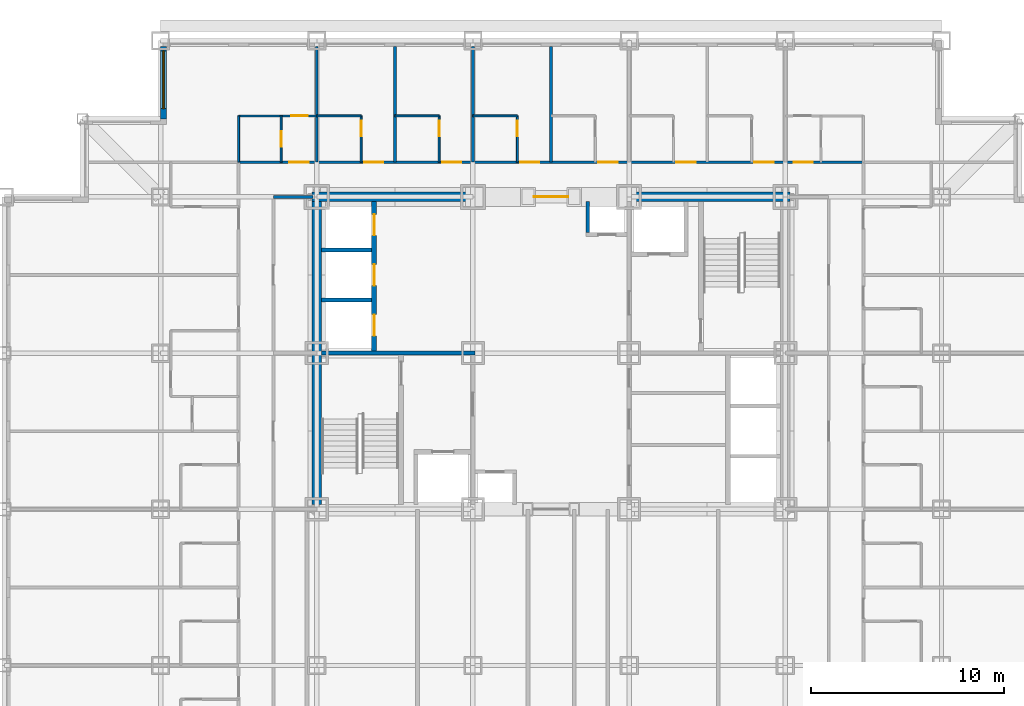
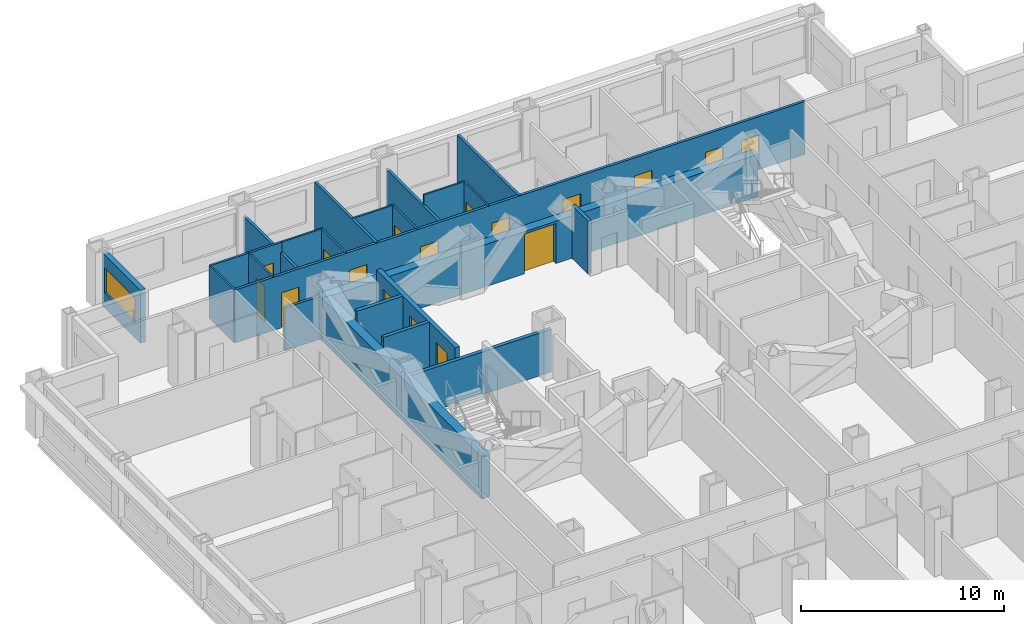
# One storey, part 8 of 11: 23 walls, 17 doors, 1 window, 18 openings.
"""IFC4 building model written with IfcOpenShell, lengths in metres."""

from ifc_helpers import new_model, si_unit, direction, frame, frame_2d, origin, place, context, subcontext, project, spatial, rectangle, extrude, material, layer, layer_set, type_object, element, fill, save


model = new_model("IFC4")

# Units and contexts
model_context = context("Model", 3, precision=1e-05, world=origin(), true_north=direction((0.0, 1.0)))
body_context = subcontext(model_context, "Body", "Model", "MODEL_VIEW")
ifc_project = project(units=[si_unit("LENGTHUNIT", "METRE"), si_unit("AREAUNIT", "SQUARE_METRE"), si_unit("VOLUMEUNIT", "CUBIC_METRE"), si_unit("PLANEANGLEUNIT", "RADIAN"), si_unit("MASSUNIT", "GRAM", prefix="KILO")], contexts=[model_context])

# Site, building, storey
site_placement = place(None, origin())
site = spatial("IfcSite", under=ifc_project, at=site_placement, CompositionType="ELEMENT")
building_placement = place(site_placement, origin())
building = spatial("IfcBuilding", under=site, at=building_placement, Name="Kopane Lantern Tower", CompositionType="ELEMENT")
storey_placement = place(building_placement, frame((0.0, 0.0, 56.800048828125)))
storey = spatial("IfcBuildingStorey", under=building, at=storey_placement, Name="L13", CompositionType="ELEMENT", Elevation=56.800048828125)

# Wall, opening, door
ifc_material_1 = material(Name="Gypsum board on steel studs", Category="steel")
ifc_layer_1 = layer(ifc_material_1, 0.1201171875)
ifc_layer_set_1 = layer_set([ifc_layer_1], Name="APARTMENT INTERNAL WALL 120")
wall_type_1 = type_object("IfcWallType", Name="APARTMENT INTERNAL WALL 120", PredefinedType="PARTITIONING", material=ifc_layer_set_1)
wall_1_placement = place(storey_placement, frame((12.14990234375, 44.699951171875, 0.0), z_axis=(0.0, 0.0, 1.0), x_axis=(1.0, 0.0, 0.0)))
wall_1 = element("IfcWall", 1, at=wall_1_placement, inside=storey, type_object=wall_type_1, Name="Apartment Internal Wall 120 L13", PredefinedType="PARTITIONING", context=body_context, shape_type="SweptSolid", body=[
    extrude(rectangle(XDim=4.050048828125, YDim=0.1201171875, at=frame_2d((2.02490234375, 0.0))), origin(), (0.0, 0.0, 1.0), 3.18994140625),
])
opening_1_placement = place(wall_1_placement, frame((2.72509765625, 0.0, 0.0)))
opening_1 = element("IfcOpeningElement", 2, at=opening_1_placement, cuts=wall_1, Name="Opening L13-075", PredefinedType="OPENING", context=body_context, shape_type="SweptSolid", body=[
    extrude(rectangle(XDim=0.85009765625, YDim=2.10009765625, at=frame_2d((0.425048828125, 1.050048828125))), frame((0.0, 0.070068359375, 0.0), z_axis=(0.0, -1.0, 0.0), x_axis=(1.0, 0.0, 0.0)), (0.0, 0.0, 1.0), 0.14013671875),
])
ifc_material_2 = material(Name="Timber door set", Category="wood")
door_type_1 = type_object("IfcDoorType", Name="DOOR D4 850x2100", OperationType="SINGLE_SWING_LEFT", PredefinedType="DOOR", material=ifc_material_2)
door_1_placement = place(opening_1_placement, origin())
door_1 = element("IfcDoor", 3, at=door_1_placement, inside=storey, type_object=door_type_1, Name="Door L13-075", OperationType="SINGLE_SWING_LEFT", OverallHeight=2.10009765625, OverallWidth=0.85009765625, PredefinedType="DOOR", context=body_context, shape_type="SweptSolid", body=[
    extrude(rectangle(XDim=0.85009765625, YDim=2.10009765625, at=frame_2d((0.425048828125, 1.050048828125))), frame((0.0, 0.02490234375, 0.0), z_axis=(0.0, -1.0, 0.0), x_axis=(1.0, 0.0, 0.0)), (0.0, 0.0, 1.0), 0.050048828125),
])
fill(opening_1, door_1)

# Wall
ifc_material_3 = material(Name="Moisture-resistant board on steel studs", Category="steel")
ifc_layer_2 = layer(ifc_material_3, 0.10009765625)
ifc_layer_set_2 = layer_set([ifc_layer_2], Name="BATHROOM WALL 100")
wall_type_2 = type_object("IfcWallType", Name="BATHROOM WALL 100", PredefinedType="PARTITIONING", material=ifc_layer_set_2)
wall_2_placement = place(storey_placement, frame((16.199951171875, 44.699951171875, 0.0), z_axis=(0.0, 0.0, 1.0), x_axis=(1.0, 0.0, 0.0)))
element("IfcWall", 4, at=wall_2_placement, inside=storey, type_object=wall_type_2, Name="Bathroom Wall 100 L13", PredefinedType="PARTITIONING", context=body_context, shape_type="SweptSolid", body=[
    extrude(rectangle(XDim=2.300048828125, YDim=0.10009765625, at=frame_2d((1.14990234375, 0.0))), origin(), (0.0, 0.0, 1.0), 3.18994140625),
])

# Wall, opening, door
wall_3_placement = place(storey_placement, frame((18.5, 42.300048828125, 0.0), z_axis=(0.0, 0.0, 1.0), x_axis=(0.0, 1.0, 0.0)))
wall_3 = element("IfcWall", 5, at=wall_3_placement, inside=storey, type_object=wall_type_2, Name="Bathroom Wall 100 L13", PredefinedType="PARTITIONING", context=body_context, shape_type="SweptSolid", body=[
    extrude(rectangle(XDim=2.39990234375, YDim=0.10009765625, at=frame_2d((1.199951171875, 0.0))), origin(), (0.0, 0.0, 1.0), 3.18994140625),
])
opening_2_placement = place(wall_3_placement, frame((1.35009765625, 0.0, 0.0)))
opening_2 = element("IfcOpeningElement", 6, at=opening_2_placement, cuts=wall_3, Name="Opening L13-023", PredefinedType="OPENING", context=body_context, shape_type="SweptSolid", body=[
    extrude(rectangle(XDim=0.800048828125, YDim=2.10009765625, at=frame_2d((0.39990234375, 1.050048828125))), frame((0.0, 0.06005859375, 0.0), z_axis=(0.0, -1.0, 0.0), x_axis=(1.0, 0.0, 0.0)), (0.0, 0.0, 1.0), 0.1201171875),
])
ifc_material_4 = material(Name="Timber door set", Category="wood")
door_type_2 = type_object("IfcDoorType", Name="DOOR D2 800x2100", OperationType="SINGLE_SWING_LEFT", PredefinedType="DOOR", material=ifc_material_4)
door_2_placement = place(opening_2_placement, origin())
door_2 = element("IfcDoor", 7, at=door_2_placement, inside=storey, type_object=door_type_2, Name="Door L13-023", OperationType="SINGLE_SWING_RIGHT", OverallHeight=2.10009765625, OverallWidth=0.800048828125, PredefinedType="DOOR", context=body_context, shape_type="SweptSolid", body=[
    extrude(rectangle(XDim=0.800048828125, YDim=2.10009765625, at=frame_2d((0.39990234375, 1.050048828125))), frame((0.0, 0.02490234375, 0.0), z_axis=(0.0, -1.0, 0.0), x_axis=(1.0, 0.0, 0.0)), (0.0, 0.0, 1.0), 0.050048828125),
])
fill(opening_2, door_2)

# Wall
wall_4_placement = place(storey_placement, frame((20.25, 44.699951171875, 0.0), z_axis=(0.0, 0.0, 1.0), x_axis=(1.0, 0.0, 0.0)))
element("IfcWall", 8, at=wall_4_placement, inside=storey, type_object=wall_type_2, Name="Bathroom Wall 100 L13", PredefinedType="PARTITIONING", context=body_context, shape_type="SweptSolid", body=[
    extrude(rectangle(XDim=2.300048828125, YDim=0.10009765625, at=frame_2d((1.14990234375, 0.0))), origin(), (0.0, 0.0, 1.0), 3.18994140625),
])

# Wall, opening, door
wall_5_placement = place(storey_placement, frame((22.550048828125, 42.300048828125, 0.0), z_axis=(0.0, 0.0, 1.0), x_axis=(0.0, 1.0, 0.0)))
wall_5 = element("IfcWall", 9, at=wall_5_placement, inside=storey, type_object=wall_type_2, Name="Bathroom Wall 100 L13", PredefinedType="PARTITIONING", context=body_context, shape_type="SweptSolid", body=[
    extrude(rectangle(XDim=2.39990234375, YDim=0.10009765625, at=frame_2d((1.199951171875, 0.0))), origin(), (0.0, 0.0, 1.0), 3.18994140625),
])
opening_3_placement = place(wall_5_placement, frame((1.35009765625, 0.0, 0.0)))
opening_3 = element("IfcOpeningElement", 10, at=opening_3_placement, cuts=wall_5, Name="Opening L13-025", PredefinedType="OPENING", context=body_context, shape_type="SweptSolid", body=[
    extrude(rectangle(XDim=0.800048828125, YDim=2.10009765625, at=frame_2d((0.39990234375, 1.050048828125))), frame((0.0, 0.06005859375, 0.0), z_axis=(0.0, -1.0, 0.0), x_axis=(1.0, 0.0, 0.0)), (0.0, 0.0, 1.0), 0.1201171875),
])
door_3_placement = place(opening_3_placement, origin())
door_3 = element("IfcDoor", 11, at=door_3_placement, inside=storey, type_object=door_type_2, Name="Door L13-025", OperationType="SINGLE_SWING_RIGHT", OverallHeight=2.10009765625, OverallWidth=0.800048828125, PredefinedType="DOOR", context=body_context, shape_type="SweptSolid", body=[
    extrude(rectangle(XDim=0.800048828125, YDim=2.10009765625, at=frame_2d((0.39990234375, 1.050048828125))), frame((0.0, 0.02490234375, 0.0), z_axis=(0.0, -1.0, 0.0), x_axis=(1.0, 0.0, 0.0)), (0.0, 0.0, 1.0), 0.050048828125),
])
fill(opening_3, door_3)

# Wall
wall_6_placement = place(storey_placement, frame((24.300048828125, 44.699951171875, 0.0), z_axis=(0.0, 0.0, 1.0), x_axis=(1.0, 0.0, 0.0)))
element("IfcWall", 12, at=wall_6_placement, inside=storey, type_object=wall_type_2, Name="Bathroom Wall 100 L13", PredefinedType="PARTITIONING", context=body_context, shape_type="SweptSolid", body=[
    extrude(rectangle(XDim=2.300048828125, YDim=0.10009765625, at=frame_2d((1.14990234375, 0.0))), origin(), (0.0, 0.0, 1.0), 3.18994140625),
])

# Wall, opening, door
wall_7_placement = place(storey_placement, frame((26.60009765625, 42.300048828125, 0.0), z_axis=(0.0, 0.0, 1.0), x_axis=(0.0, 1.0, 0.0)))
wall_7 = element("IfcWall", 13, at=wall_7_placement, inside=storey, type_object=wall_type_2, Name="Bathroom Wall 100 L13", PredefinedType="PARTITIONING", context=body_context, shape_type="SweptSolid", body=[
    extrude(rectangle(XDim=2.39990234375, YDim=0.10009765625, at=frame_2d((1.199951171875, 0.0))), origin(), (0.0, 0.0, 1.0), 3.18994140625),
])
opening_4_placement = place(wall_7_placement, frame((1.35009765625, 0.0, 0.0)))
opening_4 = element("IfcOpeningElement", 14, at=opening_4_placement, cuts=wall_7, Name="Opening L13-027", PredefinedType="OPENING", context=body_context, shape_type="SweptSolid", body=[
    extrude(rectangle(XDim=0.800048828125, YDim=2.10009765625, at=frame_2d((0.39990234375, 1.050048828125))), frame((0.0, 0.06005859375, 0.0), z_axis=(0.0, -1.0, 0.0), x_axis=(1.0, 0.0, 0.0)), (0.0, 0.0, 1.0), 0.1201171875),
])
door_4_placement = place(opening_4_placement, origin())
door_4 = element("IfcDoor", 15, at=door_4_placement, inside=storey, type_object=door_type_2, Name="Door L13-027", OperationType="SINGLE_SWING_RIGHT", OverallHeight=2.10009765625, OverallWidth=0.800048828125, PredefinedType="DOOR", context=body_context, shape_type="SweptSolid", body=[
    extrude(rectangle(XDim=0.800048828125, YDim=2.10009765625, at=frame_2d((0.39990234375, 1.050048828125))), frame((0.0, 0.02490234375, 0.0), z_axis=(0.0, -1.0, 0.0), x_axis=(1.0, 0.0, 0.0)), (0.0, 0.0, 1.0), 0.050048828125),
])
fill(opening_4, door_4)

wall_8_placement = place(storey_placement, frame((14.35009765625, 42.300048828125, 0.0), z_axis=(0.0, 0.0, 1.0), x_axis=(0.0, 1.0, 0.0)))
wall_8 = element("IfcWall", 16, at=wall_8_placement, inside=storey, type_object=wall_type_2, Name="Bathroom Wall 100 L13", PredefinedType="PARTITIONING", context=body_context, shape_type="SweptSolid", body=[
    extrude(rectangle(XDim=2.39990234375, YDim=0.10009765625, at=frame_2d((1.199951171875, 0.0))), origin(), (0.0, 0.0, 1.0), 3.18994140625),
])
opening_5_placement = place(wall_8_placement, frame((0.800048828125, 0.0, 0.0)))
opening_5 = element("IfcOpeningElement", 17, at=opening_5_placement, cuts=wall_8, Name="Opening L13-073", PredefinedType="OPENING", context=body_context, shape_type="SweptSolid", body=[
    extrude(rectangle(XDim=0.800048828125, YDim=2.10009765625, at=frame_2d((0.39990234375, 1.050048828125))), frame((0.0, 0.06005859375, 0.0), z_axis=(0.0, -1.0, 0.0), x_axis=(1.0, 0.0, 0.0)), (0.0, 0.0, 1.0), 0.1201171875),
])
door_5_placement = place(opening_5_placement, origin())
door_5 = element("IfcDoor", 18, at=door_5_placement, inside=storey, type_object=door_type_2, Name="Door L13-073", OperationType="SINGLE_SWING_LEFT", OverallHeight=2.10009765625, OverallWidth=0.800048828125, PredefinedType="DOOR", context=body_context, shape_type="SweptSolid", body=[
    extrude(rectangle(XDim=0.800048828125, YDim=2.10009765625, at=frame_2d((0.39990234375, 1.050048828125))), frame((0.0, 0.02490234375, 0.0), z_axis=(0.0, -1.0, 0.0), x_axis=(1.0, 0.0, 0.0)), (0.0, 0.0, 1.0), 0.050048828125),
])
fill(opening_5, door_5)

# Wall
wall_9_placement = place(storey_placement, frame((12.14990234375, 42.300048828125, 0.0), z_axis=(0.0, 0.0, 1.0), x_axis=(0.0, 1.0, 0.0)))
element("IfcWall", 19, at=wall_9_placement, inside=storey, type_object=wall_type_2, Name="Bathroom Wall 100 L13", PredefinedType="PARTITIONING", context=body_context, shape_type="SweptSolid", body=[
    extrude(rectangle(XDim=2.39990234375, YDim=0.10009765625, at=frame_2d((1.199951171875, 0.0))), origin(), (0.0, 0.0, 1.0), 3.18994140625),
])

# Wall, opening, door
ifc_material_5 = material(Name="Gypsum shaft wall EI 120", Category="gypsum")
ifc_layer_3 = layer(ifc_material_5, 0.5)
ifc_layer_set_3 = layer_set([ifc_layer_3], Name="CORE PERIMETER WALL 500 EI 120")
wall_type_3 = type_object("IfcWallType", Name="CORE PERIMETER WALL 500 EI 120", PredefinedType="SOLIDWALL", material=ifc_layer_set_3)
wall_10_placement = place(storey_placement, frame((15.949951171875, 40.5, 0.0), z_axis=(0.0, 0.0, 1.0), x_axis=(1.0, 0.0, 0.0)))
wall_10 = element("IfcWall", 20, at=wall_10_placement, inside=storey, type_object=wall_type_3, Name="Core shaft wall L13 PN", PredefinedType="SOLIDWALL", context=body_context, shape_type="SweptSolid", body=[
    extrude(rectangle(XDim=24.800048828125, YDim=0.5, at=frame_2d((12.39990234375, 0.0))), origin(), (0.0, 0.0, 1.0), 2.5400390625),
])
opening_6_placement = place(wall_10_placement, frame((11.5, 0.0, 0.0)))
opening_6 = element("IfcOpeningElement", 21, at=opening_6_placement, cuts=wall_10, Name="Opening 13.CE-N", PredefinedType="OPENING", context=body_context, shape_type="SweptSolid", body=[
    extrude(rectangle(XDim=1.800048828125, YDim=2.39990234375, at=frame_2d((0.89990234375, 1.199951171875))), frame((0.0, 0.260009765625, 0.0), z_axis=(0.0, -1.0, 0.0), x_axis=(1.0, 0.0, 0.0)), (0.0, 0.0, 1.0), 0.52001953125),
])
ifc_material_6 = material(Name="Steel door set", Category="steel")
door_type_3 = type_object("IfcDoorType", Name="CORE ENTRY DOOR 1800x2400 FD60S", OperationType="DOUBLE_DOOR_SINGLE_SWING", PredefinedType="DOOR", material=ifc_material_6)
door_6_placement = place(opening_6_placement, origin())
door_6 = element("IfcDoor", 22, at=door_6_placement, inside=storey, type_object=door_type_3, Name="Core entry door L13 north", OperationType="DOUBLE_DOOR_SINGLE_SWING", OverallHeight=2.39990234375, OverallWidth=1.800048828125, PredefinedType="DOOR", context=body_context, shape_type="SweptSolid", body=[
    extrude(rectangle(XDim=1.800048828125, YDim=2.39990234375, at=frame_2d((0.89990234375, 1.199951171875))), frame((0.0, 0.02490234375, 0.0), z_axis=(0.0, -1.0, 0.0), x_axis=(1.0, 0.0, 0.0)), (0.0, 0.0, 1.0), 0.050048828125),
])
fill(opening_6, door_6)

# Wall
wall_11_placement = place(storey_placement, frame((16.199951171875, 24.550048828125, 0.0), z_axis=(0.0, 0.0, 1.0), x_axis=(0.0, 1.0, 0.0)))
element("IfcWall", 23, at=wall_11_placement, inside=storey, type_object=wall_type_3, Name="Core shaft wall L13 PW", PredefinedType="SOLIDWALL", context=body_context, shape_type="SweptSolid", body=[
    extrude(rectangle(XDim=15.699951171875, YDim=0.5, at=frame_2d((7.85009765625, 0.0))), origin(), (0.0, 0.0, 1.0), 2.57763671875),
])

# Wall, openings, doors
ifc_material_7 = material(Name="Gypsum shaft wall EI 120", Category="gypsum")
ifc_layer_4 = layer(ifc_material_7, 0.25)
ifc_layer_set_4 = layer_set([ifc_layer_4], Name="CORE SHAFT WALL 250 EI 120")
wall_type_4 = type_object("IfcWallType", Name="CORE SHAFT WALL 250 EI 120", PredefinedType="SOLIDWALL", material=ifc_layer_set_4)
wall_12_placement = place(storey_placement, frame((19.175048828125, 32.5, 0.0), z_axis=(0.0, 0.0, 1.0), x_axis=(0.0, 1.0, 0.0)))
wall_12 = element("IfcWall", 24, at=wall_12_placement, inside=storey, type_object=wall_type_4, Name="Core shaft wall L13 XLH", PredefinedType="SOLIDWALL", context=body_context, shape_type="SweptSolid", body=[
    extrude(rectangle(XDim=7.75, YDim=0.25, at=frame_2d((3.875, 0.0))), origin(), (0.0, 0.0, 1.0), 3.18994140625),
])
opening_7_placement = place(wall_12_placement, frame((0.800048828125, 0.0, 0.0)))
opening_7 = element("IfcOpeningElement", 25, at=opening_7_placement, cuts=wall_12, Name="Opening 13.LD-LH1", PredefinedType="OPENING", context=body_context, shape_type="SweptSolid", body=[
    extrude(rectangle(XDim=1.10009765625, YDim=2.39990234375, at=frame_2d((0.550048828125, 1.199951171875))), frame((0.0, 0.135009765625, 0.0), z_axis=(0.0, -1.0, 0.0), x_axis=(1.0, 0.0, 0.0)), (0.0, 0.0, 1.0), 0.27001953125),
])
opening_8_placement = place(wall_12_placement, frame((3.39990234375, 0.0, 0.0)))
opening_8 = element("IfcOpeningElement", 26, at=opening_8_placement, cuts=wall_12, Name="Opening 13.LD-LH2", PredefinedType="OPENING", context=body_context, shape_type="SweptSolid", body=[
    extrude(rectangle(XDim=1.10009765625, YDim=2.39990234375, at=frame_2d((0.550048828125, 1.199951171875))), frame((0.0, 0.135009765625, 0.0), z_axis=(0.0, -1.0, 0.0), x_axis=(1.0, 0.0, 0.0)), (0.0, 0.0, 1.0), 0.27001953125),
])
opening_9_placement = place(wall_12_placement, frame((6.0, 0.0, 0.0)))
opening_9 = element("IfcOpeningElement", 27, at=opening_9_placement, cuts=wall_12, Name="Opening 13.LD-LH3", PredefinedType="OPENING", context=body_context, shape_type="SweptSolid", body=[
    extrude(rectangle(XDim=1.10009765625, YDim=2.39990234375, at=frame_2d((0.550048828125, 1.199951171875))), frame((0.0, 0.135009765625, 0.0), z_axis=(0.0, -1.0, 0.0), x_axis=(1.0, 0.0, 0.0)), (0.0, 0.0, 1.0), 0.27001953125),
])
ifc_material_8 = material(Name="Steel door set", Category="steel")
door_type_4 = type_object("IfcDoorType", Name="LIFT LANDING DOOR 1100x2400 FD60", OperationType="DOUBLE_DOOR_SLIDING", PredefinedType="DOOR", material=ifc_material_8)
door_7_placement = place(opening_7_placement, origin())
door_7 = element("IfcDoor", 28, at=door_7_placement, inside=storey, type_object=door_type_4, Name="Landing door LH1 L13", OperationType="DOUBLE_DOOR_SLIDING", OverallHeight=2.39990234375, OverallWidth=1.10009765625, PredefinedType="DOOR", context=body_context, shape_type="SweptSolid", body=[
    extrude(rectangle(XDim=1.10009765625, YDim=2.39990234375, at=frame_2d((0.550048828125, 1.199951171875))), frame((0.0, 0.02490234375, 0.0), z_axis=(0.0, -1.0, 0.0), x_axis=(1.0, 0.0, 0.0)), (0.0, 0.0, 1.0), 0.050048828125),
])
fill(opening_7, door_7)
door_8_placement = place(opening_8_placement, origin())
door_8 = element("IfcDoor", 29, at=door_8_placement, inside=storey, type_object=door_type_4, Name="Landing door LH2 L13", OperationType="DOUBLE_DOOR_SLIDING", OverallHeight=2.39990234375, OverallWidth=1.10009765625, PredefinedType="DOOR", context=body_context, shape_type="SweptSolid", body=[
    extrude(rectangle(XDim=1.10009765625, YDim=2.39990234375, at=frame_2d((0.550048828125, 1.199951171875))), frame((0.0, 0.02490234375, 0.0), z_axis=(0.0, -1.0, 0.0), x_axis=(1.0, 0.0, 0.0)), (0.0, 0.0, 1.0), 0.050048828125),
])
fill(opening_8, door_8)
door_9_placement = place(opening_9_placement, origin())
door_9 = element("IfcDoor", 30, at=door_9_placement, inside=storey, type_object=door_type_4, Name="Landing door LH3 L13", OperationType="DOUBLE_DOOR_SLIDING", OverallHeight=2.39990234375, OverallWidth=1.10009765625, PredefinedType="DOOR", context=body_context, shape_type="SweptSolid", body=[
    extrude(rectangle(XDim=1.10009765625, YDim=2.39990234375, at=frame_2d((0.550048828125, 1.199951171875))), frame((0.0, 0.02490234375, 0.0), z_axis=(0.0, -1.0, 0.0), x_axis=(1.0, 0.0, 0.0)), (0.0, 0.0, 1.0), 0.050048828125),
])
fill(opening_9, door_9)

ifc_material_9 = material(Name="Gypsum board on steel studs", Category="steel")
ifc_layer_5 = layer(ifc_material_9, 0.14990234375)
ifc_layer_set_5 = layer_set([ifc_layer_5], Name="CORRIDOR WALL 150 EI 60")
wall_type_5 = type_object("IfcWallType", Name="CORRIDOR WALL 150 EI 60", PredefinedType="PARTITIONING", material=ifc_layer_set_5)
wall_13_placement = place(storey_placement, frame((12.14990234375, 42.300048828125, 0.0), z_axis=(0.0, 0.0, 1.0), x_axis=(1.0, 0.0, 0.0)))
wall_13 = element("IfcWall", 31, at=wall_13_placement, inside=storey, type_object=wall_type_5, Name="Corridor Wall 150 Ei 60 L13", PredefinedType="PARTITIONING", context=body_context, shape_type="SweptSolid", body=[
    extrude(rectangle(XDim=32.400146484375, YDim=0.14990234375, at=frame_2d((16.2001953125, 0.0))), origin(), (0.0, 0.0, 1.0), 3.18994140625),
])
opening_10_placement = place(wall_13_placement, frame((6.5, 0.0, 0.0)))
opening_10 = element("IfcOpeningElement", 32, at=opening_10_placement, cuts=wall_13, Name="Opening L13-024", PredefinedType="OPENING", context=body_context, shape_type="SweptSolid", body=[
    extrude(rectangle(XDim=1.0, YDim=2.10009765625, at=frame_2d((0.5, 1.050048828125))), frame((0.0, 0.0849609375, 0.0), z_axis=(0.0, -1.0, 0.0), x_axis=(1.0, 0.0, 0.0)), (0.0, 0.0, 1.0), 0.169921875),
])
opening_11_placement = place(wall_13_placement, frame((10.550048828125, 0.0, 0.0)))
opening_11 = element("IfcOpeningElement", 33, at=opening_11_placement, cuts=wall_13, Name="Opening L13-026", PredefinedType="OPENING", context=body_context, shape_type="SweptSolid", body=[
    extrude(rectangle(XDim=1.0, YDim=2.10009765625, at=frame_2d((0.5, 1.050048828125))), frame((0.0, 0.0849609375, 0.0), z_axis=(0.0, -1.0, 0.0), x_axis=(1.0, 0.0, 0.0)), (0.0, 0.0, 1.0), 0.169921875),
])
opening_12_placement = place(wall_13_placement, frame((14.60009765625, 0.0, 0.0)))
opening_12 = element("IfcOpeningElement", 34, at=opening_12_placement, cuts=wall_13, Name="Opening L13-028", PredefinedType="OPENING", context=body_context, shape_type="SweptSolid", body=[
    extrude(rectangle(XDim=1.0, YDim=2.10009765625, at=frame_2d((0.5, 1.050048828125))), frame((0.0, 0.0849609375, 0.0), z_axis=(0.0, -1.0, 0.0), x_axis=(1.0, 0.0, 0.0)), (0.0, 0.0, 1.0), 0.169921875),
])
opening_13_placement = place(wall_13_placement, frame((18.64990234375, 0.0, 0.0)))
opening_13 = element("IfcOpeningElement", 35, at=opening_13_placement, cuts=wall_13, Name="Opening L13-030", PredefinedType="OPENING", context=body_context, shape_type="SweptSolid", body=[
    extrude(rectangle(XDim=1.0, YDim=2.10009765625, at=frame_2d((0.5, 1.050048828125))), frame((0.0, 0.0849609375, 0.0), z_axis=(0.0, -1.0, 0.0), x_axis=(1.0, 0.0, 0.0)), (0.0, 0.0, 1.0), 0.169921875),
])
opening_14_placement = place(wall_13_placement, frame((22.699951171875, 0.0, 0.0)))
opening_14 = element("IfcOpeningElement", 36, at=opening_14_placement, cuts=wall_13, Name="Opening L13-032", PredefinedType="OPENING", context=body_context, shape_type="SweptSolid", body=[
    extrude(rectangle(XDim=1.0, YDim=2.10009765625, at=frame_2d((0.5, 1.050048828125))), frame((0.0, 0.0849609375, 0.0), z_axis=(0.0, -1.0, 0.0), x_axis=(1.0, 0.0, 0.0)), (0.0, 0.0, 1.0), 0.169921875),
])
opening_15_placement = place(wall_13_placement, frame((26.75, 0.0, 0.0)))
opening_15 = element("IfcOpeningElement", 37, at=opening_15_placement, cuts=wall_13, Name="Opening L13-034", PredefinedType="OPENING", context=body_context, shape_type="SweptSolid", body=[
    extrude(rectangle(XDim=1.0, YDim=2.10009765625, at=frame_2d((0.5, 1.050048828125))), frame((0.0, 0.0849609375, 0.0), z_axis=(0.0, -1.0, 0.0), x_axis=(1.0, 0.0, 0.0)), (0.0, 0.0, 1.0), 0.169921875),
])
opening_16_placement = place(wall_13_placement, frame((28.77490234375, 0.0, 0.0)))
opening_16 = element("IfcOpeningElement", 38, at=opening_16_placement, cuts=wall_13, Name="Opening L13-071", PredefinedType="OPENING", context=body_context, shape_type="SweptSolid", body=[
    extrude(rectangle(XDim=1.0, YDim=2.10009765625, at=frame_2d((0.5, 1.050048828125))), frame((0.0, 0.0849609375, 0.0), z_axis=(0.0, -1.0, 0.0), x_axis=(1.0, 0.0, 0.0)), (0.0, 0.0, 1.0), 0.169921875),
])
opening_17_placement = place(wall_13_placement, frame((2.625, 0.0, 0.0)))
opening_17 = element("IfcOpeningElement", 39, at=opening_17_placement, cuts=wall_13, Name="Opening L13-074", PredefinedType="OPENING", context=body_context, shape_type="SweptSolid", body=[
    extrude(rectangle(XDim=1.0, YDim=2.10009765625, at=frame_2d((0.5, 1.050048828125))), frame((0.0, 0.0849609375, 0.0), z_axis=(0.0, -1.0, 0.0), x_axis=(1.0, 0.0, 0.0)), (0.0, 0.0, 1.0), 0.169921875),
])
ifc_material_10 = material(Name="Steel door set", Category="steel")
door_type_5 = type_object("IfcDoorType", Name="DOOR D1 1000x2100 FD30S", OperationType="SINGLE_SWING_LEFT", PredefinedType="DOOR", material=ifc_material_10)
door_10_placement = place(opening_10_placement, origin())
door_10 = element("IfcDoor", 40, at=door_10_placement, inside=storey, type_object=door_type_5, Name="Door L13-024", OperationType="SINGLE_SWING_LEFT", OverallHeight=2.10009765625, OverallWidth=1.0, PredefinedType="DOOR", context=body_context, shape_type="SweptSolid", body=[
    extrude(rectangle(XDim=1.0, YDim=2.10009765625, at=frame_2d((0.5, 1.050048828125))), frame((0.0, 0.02490234375, 0.0), z_axis=(0.0, -1.0, 0.0), x_axis=(1.0, 0.0, 0.0)), (0.0, 0.0, 1.0), 0.050048828125),
])
fill(opening_10, door_10)
door_11_placement = place(opening_11_placement, origin())
door_11 = element("IfcDoor", 41, at=door_11_placement, inside=storey, type_object=door_type_5, Name="Door L13-026", OperationType="SINGLE_SWING_LEFT", OverallHeight=2.10009765625, OverallWidth=1.0, PredefinedType="DOOR", context=body_context, shape_type="SweptSolid", body=[
    extrude(rectangle(XDim=1.0, YDim=2.10009765625, at=frame_2d((0.5, 1.050048828125))), frame((0.0, 0.02490234375, 0.0), z_axis=(0.0, -1.0, 0.0), x_axis=(1.0, 0.0, 0.0)), (0.0, 0.0, 1.0), 0.050048828125),
])
fill(opening_11, door_11)
door_12_placement = place(opening_12_placement, origin())
door_12 = element("IfcDoor", 42, at=door_12_placement, inside=storey, type_object=door_type_5, Name="Door L13-028", OperationType="SINGLE_SWING_LEFT", OverallHeight=2.10009765625, OverallWidth=1.0, PredefinedType="DOOR", context=body_context, shape_type="SweptSolid", body=[
    extrude(rectangle(XDim=1.0, YDim=2.10009765625, at=frame_2d((0.5, 1.050048828125))), frame((0.0, 0.02490234375, 0.0), z_axis=(0.0, -1.0, 0.0), x_axis=(1.0, 0.0, 0.0)), (0.0, 0.0, 1.0), 0.050048828125),
])
fill(opening_12, door_12)
door_13_placement = place(opening_13_placement, origin())
door_13 = element("IfcDoor", 43, at=door_13_placement, inside=storey, type_object=door_type_5, Name="Door L13-030", OperationType="SINGLE_SWING_LEFT", OverallHeight=2.10009765625, OverallWidth=1.0, PredefinedType="DOOR", context=body_context, shape_type="SweptSolid", body=[
    extrude(rectangle(XDim=1.0, YDim=2.10009765625, at=frame_2d((0.5, 1.050048828125))), frame((0.0, 0.02490234375, 0.0), z_axis=(0.0, -1.0, 0.0), x_axis=(1.0, 0.0, 0.0)), (0.0, 0.0, 1.0), 0.050048828125),
])
fill(opening_13, door_13)
door_14_placement = place(opening_14_placement, origin())
door_14 = element("IfcDoor", 44, at=door_14_placement, inside=storey, type_object=door_type_5, Name="Door L13-032", OperationType="SINGLE_SWING_LEFT", OverallHeight=2.10009765625, OverallWidth=1.0, PredefinedType="DOOR", context=body_context, shape_type="SweptSolid", body=[
    extrude(rectangle(XDim=1.0, YDim=2.10009765625, at=frame_2d((0.5, 1.050048828125))), frame((0.0, 0.02490234375, 0.0), z_axis=(0.0, -1.0, 0.0), x_axis=(1.0, 0.0, 0.0)), (0.0, 0.0, 1.0), 0.050048828125),
])
fill(opening_14, door_14)
door_15_placement = place(opening_15_placement, origin())
door_15 = element("IfcDoor", 45, at=door_15_placement, inside=storey, type_object=door_type_5, Name="Door L13-034", OperationType="SINGLE_SWING_LEFT", OverallHeight=2.10009765625, OverallWidth=1.0, PredefinedType="DOOR", context=body_context, shape_type="SweptSolid", body=[
    extrude(rectangle(XDim=1.0, YDim=2.10009765625, at=frame_2d((0.5, 1.050048828125))), frame((0.0, 0.02490234375, 0.0), z_axis=(0.0, -1.0, 0.0), x_axis=(1.0, 0.0, 0.0)), (0.0, 0.0, 1.0), 0.050048828125),
])
fill(opening_15, door_15)
door_16_placement = place(opening_16_placement, origin())
door_16 = element("IfcDoor", 46, at=door_16_placement, inside=storey, type_object=door_type_5, Name="Door L13-071", OperationType="SINGLE_SWING_RIGHT", OverallHeight=2.10009765625, OverallWidth=1.0, PredefinedType="DOOR", context=body_context, shape_type="SweptSolid", body=[
    extrude(rectangle(XDim=1.0, YDim=2.10009765625, at=frame_2d((0.5, 1.050048828125))), frame((0.0, 0.02490234375, 0.0), z_axis=(0.0, -1.0, 0.0), x_axis=(1.0, 0.0, 0.0)), (0.0, 0.0, 1.0), 0.050048828125),
])
fill(opening_16, door_16)
door_17_placement = place(opening_17_placement, origin())
door_17 = element("IfcDoor", 47, at=door_17_placement, inside=storey, type_object=door_type_5, Name="Door L13-074", OperationType="SINGLE_SWING_LEFT", OverallHeight=2.10009765625, OverallWidth=1.0, PredefinedType="DOOR", context=body_context, shape_type="SweptSolid", body=[
    extrude(rectangle(XDim=1.0, YDim=2.10009765625, at=frame_2d((0.5, 1.050048828125))), frame((0.0, 0.02490234375, 0.0), z_axis=(0.0, -1.0, 0.0), x_axis=(1.0, 0.0, 0.0)), (0.0, 0.0, 1.0), 0.050048828125),
])
fill(opening_17, door_17)

# Walls
wall_14_placement = place(storey_placement, frame((16.0, 40.5, 0.0), z_axis=(0.0, 0.0, 1.0), x_axis=(-1.0, 0.0, 0.0)))
element("IfcWall", 48, at=wall_14_placement, inside=storey, type_object=wall_type_5, Name="Corridor Wall 150 Ei 60 L13", PredefinedType="PARTITIONING", context=body_context, shape_type="SweptSolid", body=[
    extrude(rectangle(XDim=2.050048828125, YDim=0.14990234375, at=frame_2d((1.02490234375, 0.0))), origin(), (0.0, 0.0, 1.0), 2.57763671875),
])
ifc_material_11 = material(Name="Gypsum board on steel studs", Category="steel")
ifc_layer_6 = layer(ifc_material_11, 0.14990234375)
ifc_layer_set_6 = layer_set([ifc_layer_6], Name="DEMISING WALL 150 EI 60")
wall_type_6 = type_object("IfcWallType", Name="DEMISING WALL 150 EI 60", PredefinedType="PARTITIONING", material=ifc_layer_set_6)
wall_15_placement = place(storey_placement, frame((20.25, 42.300048828125, 0.0), z_axis=(0.0, 0.0, 1.0), x_axis=(0.0, 1.0, 0.0)))
element("IfcWall", 49, at=wall_15_placement, inside=storey, type_object=wall_type_6, Name="Demising Wall 150 Ei 60 L13", PredefinedType="PARTITIONING", context=body_context, shape_type="SweptSolid", body=[
    extrude(rectangle(XDim=6.0, YDim=0.14990234375, at=frame_2d((3.0, 0.0))), origin(), (0.0, 0.0, 1.0), 3.18994140625),
])
wall_16_placement = place(storey_placement, frame((24.300048828125, 42.300048828125, 0.0), z_axis=(0.0, 0.0, 1.0), x_axis=(0.0, 1.0, 0.0)))
element("IfcWall", 50, at=wall_16_placement, inside=storey, type_object=wall_type_6, Name="Demising Wall 150 Ei 60 L13", PredefinedType="PARTITIONING", context=body_context, shape_type="SweptSolid", body=[
    extrude(rectangle(XDim=6.0, YDim=0.14990234375, at=frame_2d((3.0, 0.0))), origin(), (0.0, 0.0, 1.0), 2.57763671875),
])
wall_17_placement = place(storey_placement, frame((28.35009765625, 42.300048828125, 0.0), z_axis=(0.0, 0.0, 1.0), x_axis=(0.0, 1.0, 0.0)))
element("IfcWall", 51, at=wall_17_placement, inside=storey, type_object=wall_type_6, Name="Demising Wall 150 Ei 60 L13", PredefinedType="PARTITIONING", context=body_context, shape_type="SweptSolid", body=[
    extrude(rectangle(XDim=6.0, YDim=0.14990234375, at=frame_2d((3.0, 0.0))), origin(), (0.0, 0.0, 1.0), 3.18994140625),
])
wall_18_placement = place(storey_placement, frame((16.199951171875, 42.300048828125, 0.0), z_axis=(0.0, 0.0, 1.0), x_axis=(0.0, 1.0, 0.0)))
element("IfcWall", 52, at=wall_18_placement, inside=storey, type_object=wall_type_6, Name="Demising Wall 150 Ei 60 L13", PredefinedType="PARTITIONING", context=body_context, shape_type="SweptSolid", body=[
    extrude(rectangle(XDim=6.0, YDim=0.14990234375, at=frame_2d((3.0, 0.0))), origin(), (0.0, 0.0, 1.0), 2.57763671875),
])

# Wall, opening, window
ifc_material_12 = material(Name="Terracotta rainscreen on light steel framing", Category="masonry")
ifc_layer_7 = layer(ifc_material_12, 0.300048828125)
ifc_layer_set_7 = layer_set([ifc_layer_7], Name="EXTERNAL WALL EW1 300 TERRACOTTA")
wall_type_7 = type_object("IfcWallType", Name="EXTERNAL WALL EW1 300 TERRACOTTA", PredefinedType="SOLIDWALL", material=ifc_layer_set_7)
wall_19_placement = place(storey_placement, frame((8.25, 48.300048828125, 0.0), z_axis=(0.0, 0.0, 1.0), x_axis=(0.0, -1.0, 0.0)))
wall_19 = element("IfcWall", 53, at=wall_19_placement, inside=storey, type_object=wall_type_7, Name="External wall W L13", PredefinedType="SOLIDWALL", context=body_context, shape_type="SweptSolid", body=[
    extrude(rectangle(XDim=3.75, YDim=0.300048828125, at=frame_2d((1.875, 0.0))), origin(), (0.0, 0.0, 1.0), 3.18994140625),
])
opening_18_placement = place(wall_19_placement, frame((0.22509765625, 0.0, 0.89990234375)))
opening_18 = element("IfcOpeningElement", 54, at=opening_18_placement, cuts=wall_19, Name="Opening WR300150", PredefinedType="OPENING", context=body_context, shape_type="SweptSolid", body=[
    extrude(rectangle(XDim=3.0, YDim=1.5, at=frame_2d((1.5, 0.75))), frame((0.0, 0.159912109375, 0.0), z_axis=(0.0, -1.0, 0.0), x_axis=(1.0, 0.0, 0.0)), (0.0, 0.0, 1.0), 0.320068359375),
])
ifc_material_13 = material(Name="Aluminium and clear glass", Category="aluminium")
window_type = type_object("IfcWindowType", Name="RIBBON WINDOW WR300150 3000x1500", PartitioningType="SINGLE_PANEL", PredefinedType="WINDOW", material=ifc_material_13)
window_placement = place(opening_18_placement, origin())
window = element("IfcWindow", 55, at=window_placement, inside=storey, type_object=window_type, Name="Window W L13", OverallHeight=1.5, OverallWidth=3.0, PartitioningType="SINGLE_PANEL", PredefinedType="WINDOW", context=body_context, shape_type="SweptSolid", body=[
    extrude(rectangle(XDim=3.0, YDim=1.5, at=frame_2d((1.5, 0.75))), frame((0.0, 0.030029296875, 0.0), z_axis=(0.0, -1.0, 0.0), x_axis=(1.0, 0.0, 0.0)), (0.0, 0.0, 1.0), 0.06005859375),
])
fill(opening_18, window)

# Walls
ifc_material_14 = material(Name="Gypsum shaft wall EI 120", Category="gypsum")
ifc_layer_8 = layer(ifc_material_14, 0.199951171875)
ifc_layer_set_8 = layer_set([ifc_layer_8], Name="SHAFT WALL 200 EI 120")
wall_type_8 = type_object("IfcWallType", Name="SHAFT WALL 200 EI 120", PredefinedType="SOLIDWALL", material=ifc_layer_set_8)
wall_20_placement = place(storey_placement, frame((16.449951171875, 32.39990234375, 0.0), z_axis=(0.0, 0.0, 1.0), x_axis=(1.0, 0.0, 0.0)))
element("IfcWall", 56, at=wall_20_placement, inside=storey, type_object=wall_type_8, Name="Core shaft wall L13 Y324W", PredefinedType="SOLIDWALL", context=body_context, shape_type="SweptSolid", body=[
    extrude(rectangle(XDim=7.949951171875, YDim=0.199951171875, at=frame_2d((3.97509765625, 0.0))), origin(), (0.0, 0.0, 1.0), 2.57763671875),
])
for number, where, z_axis, x_axis, name in (
    (57, (16.449951171875, 35.14990234375, 0.0), (0.0, 0.0, 1.0), (1.0, 0.0, 0.0), "Core shaft wall L13 YLH12"),
    (58, (16.449951171875, 37.75, 0.0), (0.0, 0.0, 1.0), (1.0, 0.0, 0.0), "Core shaft wall L13 YLH23"),
):
    element("IfcWall", number, at=place(storey_placement, frame(where, z_axis=z_axis, x_axis=x_axis)), inside=storey, type_object=wall_type_8, Name=name, PredefinedType="SOLIDWALL", context=body_context, shape_type="SweptSolid", body=[
        extrude(rectangle(XDim=2.60009765625, YDim=0.199951171875, at=frame_2d((1.300048828125, 0.0))), origin(), (0.0, 0.0, 1.0), 3.18994140625),
    ])
wall_21_placement = place(storey_placement, frame((30.25, 38.64990234375, 0.0), z_axis=(0.0, 0.0, 1.0), x_axis=(0.0, 1.0, 0.0)))
element("IfcWall", 59, at=wall_21_placement, inside=storey, type_object=wall_type_8, Name="Core shaft wall L13 XRS2", PredefinedType="SOLIDWALL", context=body_context, shape_type="SweptSolid", body=[
    extrude(rectangle(XDim=1.60009765625, YDim=0.199951171875, at=frame_2d((0.800048828125, 0.0))), origin(), (0.0, 0.0, 1.0), 3.18994140625),
])

save(model, "model.ifc")
